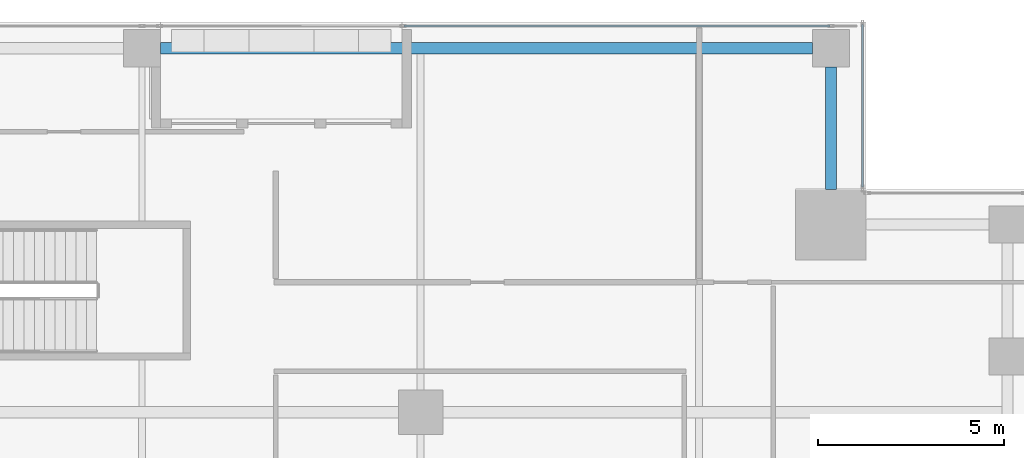
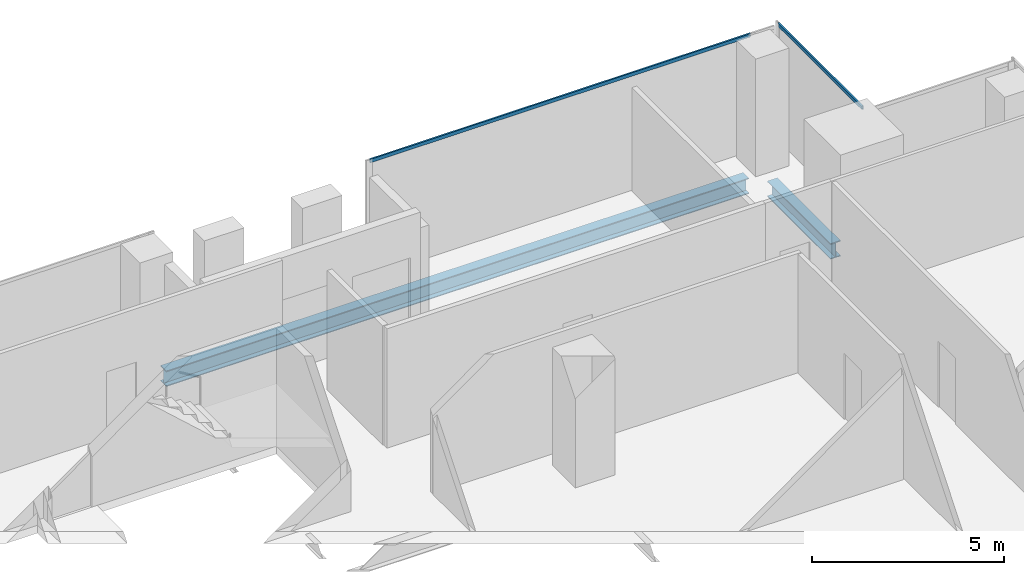
# One storey, part 24 of 38: 2 beams, 2 members, 2 elements without a shape of their own.
"""IFC4 building model written with IfcOpenShell, lengths in metres."""

from ifc_helpers import new_model, si_unit, direction, frame, origin, origin_2d, place, context, subcontext, project, spatial, hollow_rectangle, i_section, extrude, source, transform, mapped, material, material_profile, profile_set, type_object, element, aggregate, save


model = new_model("IFC4")

# Units and contexts
model_context = context("Model", 3, precision=1e-05, world=origin(), true_north=direction((0.0, 1.0)))
body_context = subcontext(model_context, "Body", "Model", "MODEL_VIEW")
ifc_project = project(units=[si_unit("LENGTHUNIT", "METRE"), si_unit("AREAUNIT", "SQUARE_METRE"), si_unit("VOLUMEUNIT", "CUBIC_METRE"), si_unit("PLANEANGLEUNIT", "RADIAN"), si_unit("MASSUNIT", "GRAM", prefix="KILO")], contexts=[model_context])

# Site, building, storey
site_placement = place(None, origin())
site = spatial("IfcSite", under=ifc_project, at=site_placement, CompositionType="ELEMENT")
building_placement = place(site_placement, origin())
building = spatial("IfcBuilding", under=site, at=building_placement, Name="Khomas Fold Tower", CompositionType="ELEMENT")
storey_placement = place(building_placement, frame((0.0, 0.0, 208.699951171875)))
storey = spatial("IfcBuildingStorey", under=building, at=storey_placement, Name="L46", CompositionType="ELEMENT", Elevation=208.699951171875)

# Beams
ifc_material_1 = material(Name="Steel S355", Category="steel")
ifc_material_profile_1 = material_profile(ifc_material_1, i_section(OverallWidth=0.300048828125, OverallDepth=0.5, WebThickness=0.014404296875, FlangeThickness=0.028076171875, at=origin_2d()), Name="HE 500 B")
ifc_profile_set_1 = profile_set([ifc_material_profile_1], Name="Steel S355")
beam_type = type_object("IfcBeamType", Name="HE 500 B spandrel SB3", PredefinedType="SPANDREL", material=ifc_profile_set_1)
shared_shape_1 = source(origin(), body_context, "Body", "SweptSolid", [
    extrude(i_section(OverallWidth=0.300048828125, OverallDepth=0.5, WebThickness=0.014404296875, FlangeThickness=0.028076171875, at=origin_2d()), origin(), (0.0, 0.0, 1.0), 3.300048828125),
])
beam_1_placement = place(storey_placement, frame((45.550048828125, 46.5, -0.5), z_axis=(0.0, 1.0, 0.0), x_axis=(-1.0, 0.0, 0.0)))
element("IfcBeam", 1, at=beam_1_placement, inside=storey, type_object=beam_type, Name="SB3", PredefinedType="SPANDREL", context=body_context, shape_type="MappedRepresentation", body=[
    mapped(shared_shape_1, transform((0.0, 0.0, 0.0))),
])
shared_shape_2 = source(origin(), body_context, "Body", "SweptSolid", [
    extrude(i_section(OverallWidth=0.300048828125, OverallDepth=0.5, WebThickness=0.014404296875, FlangeThickness=0.028076171875, at=origin_2d()), origin(), (0.0, 0.0, 1.0), 17.550048828125),
])
beam_2_placement = place(storey_placement, frame((27.5, 50.300048828125, -0.5), z_axis=(1.0, 0.0, 0.0), x_axis=(0.0, 1.0, 0.0)))
element("IfcBeam", 2, at=beam_2_placement, inside=storey, type_object=beam_type, Name="SB3", PredefinedType="SPANDREL", context=body_context, shape_type="MappedRepresentation", body=[
    mapped(shared_shape_2, transform((0.0, 0.0, 0.0))),
])

# Curtain wall, member
ifc_material_2 = material(Name="Aluminium framed double glazing", Category="aluminium")
curtain_wall_type = type_object("IfcCurtainWallType", Name="SK-Unitised clear-glass wall, office floors CW2", PredefinedType="NOTDEFINED", material=ifc_material_2)
curtain_wall_1_placement = place(storey_placement, origin())
curtain_wall_1 = element("IfcCurtainWall", 3, at=curtain_wall_1_placement, inside=storey, type_object=curtain_wall_type, Name="CW2 corner return L46 05", PredefinedType="NOTDEFINED")
ifc_material_3 = material(Name="Aluminium", Category="aluminium")
ifc_material_profile_2 = material_profile(ifc_material_3, hollow_rectangle(XDim=0.050048828125, YDim=0.110107421875, WallThickness=0.00390625, at=origin_2d()), Name="SK-Unitised clear-glass wall, office floors transom CW2-T")
ifc_profile_set_2 = profile_set([ifc_material_profile_2], Name="Aluminium")
member_type = type_object("IfcMemberType", Name="SK-Unitised clear-glass wall, office floors transom CW2-T", PredefinedType="USERDEFINED", material=ifc_profile_set_2)
shared_shape_3 = source(origin(), body_context, "Body", "SweptSolid", [
    extrude(hollow_rectangle(XDim=0.050048828125, YDim=0.110107421875, WallThickness=0.00390625, at=origin_2d()), origin(), (0.0, 0.0, 1.0), 4.3798828125),
])
member_1_placement = place(storey_placement, frame((46.39990234375, 46.56005859375, 3.695068359375), z_axis=(0.0, 1.0, 0.0), x_axis=(-1.0, 0.0, 0.0)))
member_1 = element("IfcMember", 4, at=member_1_placement, type_object=member_type, Name="CW2 transom 1", ObjectType="TRANSOM", PredefinedType="USERDEFINED", context=body_context, shape_type="MappedRepresentation", body=[
    mapped(shared_shape_3, transform((0.0, 0.0, 0.0))),
])
aggregate(curtain_wall_1, [member_1])

curtain_wall_2_placement = place(storey_placement, origin())
curtain_wall_2 = element("IfcCurtainWall", 5, at=curtain_wall_2_placement, inside=storey, type_object=curtain_wall_type, Name="CW2 run L46 06-0", PredefinedType="NOTDEFINED")
shared_shape_4 = source(origin(), body_context, "Body", "SweptSolid", [
    extrude(hollow_rectangle(XDim=0.050048828125, YDim=0.110107421875, WallThickness=0.00390625, at=origin_2d()), origin(), (0.0, 0.0, 1.0), 11.4599609375),
])
member_2_placement = place(storey_placement, frame((45.52001953125, 50.89990234375, 3.695068359375), z_axis=(-1.0, 0.0, 0.0), x_axis=(0.0, -1.0, 0.0)))
member_2 = element("IfcMember", 6, at=member_2_placement, type_object=member_type, Name="CW2 transom 2", ObjectType="TRANSOM", PredefinedType="USERDEFINED", context=body_context, shape_type="MappedRepresentation", body=[
    mapped(shared_shape_4, transform((0.0, 0.0, 0.0))),
])
aggregate(curtain_wall_2, [member_2])

save(model, "model.ifc")
